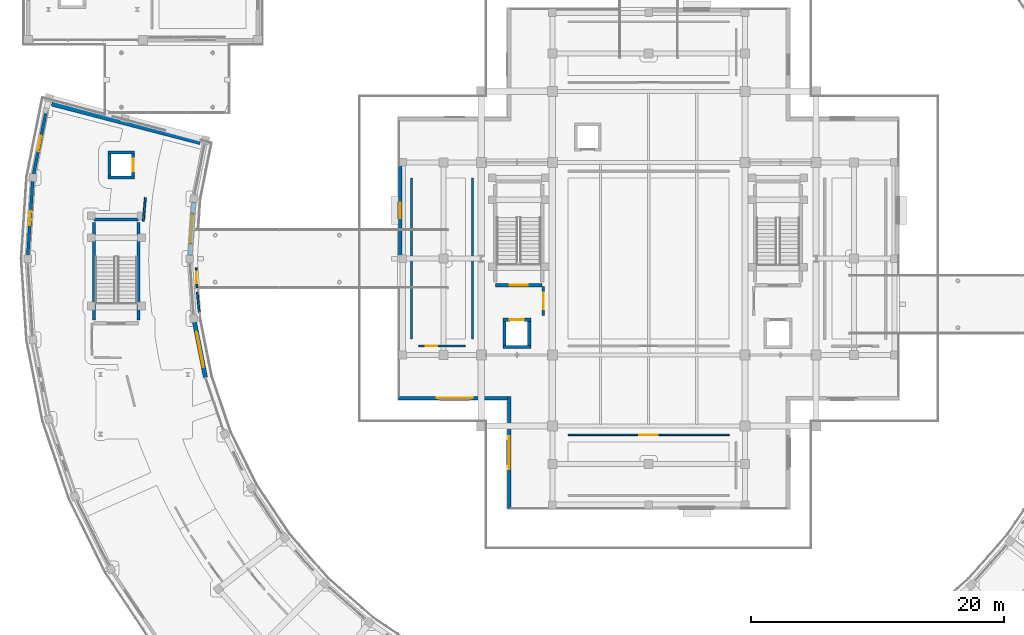
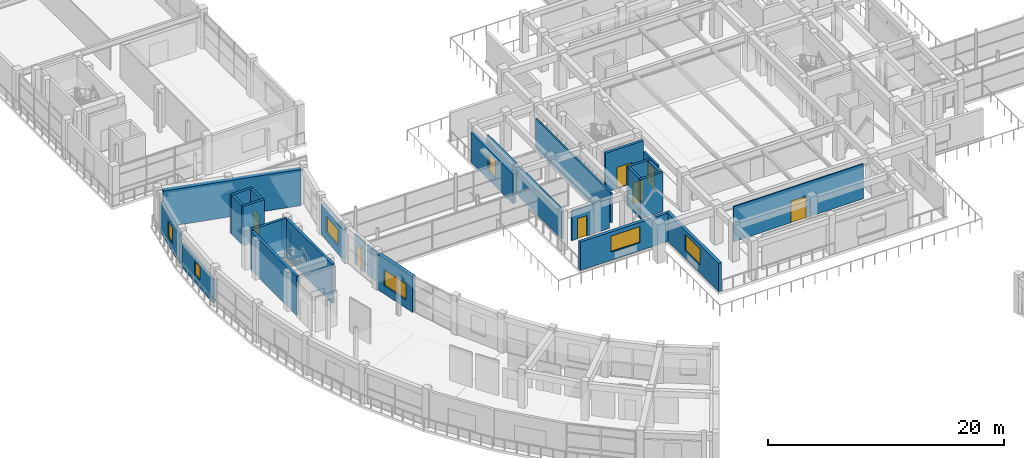
# One storey, part 48 of 72: 28 walls, 7 doors, 7 windows, 14 openings.
"""IFC4 building model written with IfcOpenShell, lengths in metres."""

from ifc_helpers import new_model, si_unit, direction, frame, frame_2d, origin, place, context, subcontext, project, spatial, rectangle, extrude, material, layer, layer_set, type_object, element, fill, save


model = new_model("IFC4")

# Units and contexts
model_context = context("Model", 3, precision=1e-05, world=origin(), true_north=direction((0.0, 1.0)))
body_context = subcontext(model_context, "Body", "Model", "MODEL_VIEW")
ifc_project = project(units=[si_unit("LENGTHUNIT", "METRE"), si_unit("AREAUNIT", "SQUARE_METRE"), si_unit("VOLUMEUNIT", "CUBIC_METRE"), si_unit("PLANEANGLEUNIT", "RADIAN"), si_unit("MASSUNIT", "GRAM", prefix="KILO")], contexts=[model_context])

# Site, building, storey
site_placement = place(None, origin())
site = spatial("IfcSite", under=ifc_project, at=site_placement, CompositionType="ELEMENT")
building_placement = place(site_placement, origin())
building = spatial("IfcBuilding", under=site, at=building_placement, Name="Saryqyr Civic Hall", CompositionType="ELEMENT")
storey_placement = place(building_placement, frame((0.0, 0.0, 17.25)))
storey = spatial("IfcBuildingStorey", under=building, at=storey_placement, Name="L04", CompositionType="ELEMENT", Elevation=17.25)

# Wall, opening, window
ifc_material_1 = material(Name="Precast concrete C40/50", Category="concrete")
ifc_layer_1 = layer(ifc_material_1, 0.239990234375, Name="Precast concrete C40/50")
ifc_layer_set_1 = layer_set([ifc_layer_1], Name="Precast concrete C40/50")
wall_type_1 = type_object("IfcWallType", Name="ENV-WAL-EXT-240", PredefinedType="STANDARD", material=ifc_layer_set_1)
wall_1_placement = place(storey_placement, frame((8.4658203125, 90.630859375, 0.0), z_axis=(0.0, 0.0, 1.0), x_axis=(0.195083817114, 0.980786574286, 0.0)))
wall_1 = element("IfcWall", 1, at=wall_1_placement, inside=storey, type_object=wall_type_1, Name="Exterior wall V4-EWO-L04-00", PredefinedType="STANDARD", context=body_context, shape_type="SweptSolid", body=[
    extrude(rectangle(XDim=5.00341796875, YDim=0.239990234375, at=frame_2d((2.501708984375, 0.0))), origin(), (0.0, 0.0, 1.0), 3.135009765625),
])
opening_1_placement = place(wall_1_placement, frame((1.902099609375, 0.0, 0.85009765625)))
opening_1 = element("IfcOpeningElement", 2, at=opening_1_placement, cuts=wall_1, Name="Opening W-17", PredefinedType="OPENING", context=body_context, shape_type="SweptSolid", body=[
    extrude(rectangle(XDim=1.199951171875, YDim=1.64990234375, at=frame_2d((0.60009765625, 0.824951171875))), frame((0.0, 0.1298828125, 0.0), z_axis=(0.0, -1.0, 0.0), x_axis=(1.0, 0.0, 0.0)), (0.0, 0.0, 1.0), 0.260009765625),
])
ifc_material_2 = material(Name="Anodised aluminium and triple low-E glass", Category="aluminium")
window_type_1 = type_object("IfcWindowType", Name="ENV-WIN-W17", PartitioningType="SINGLE_PANEL", PredefinedType="WINDOW", material=ifc_material_2)
window_1_placement = place(opening_1_placement, origin())
window_1 = element("IfcWindow", 3, at=window_1_placement, inside=storey, type_object=window_type_1, Name="Exterior ribbon window V4-L04-00", OverallHeight=1.64990234375, OverallWidth=1.199951171875, PartitioningType="SINGLE_PANEL", PredefinedType="WINDOW", context=body_context, shape_type="SweptSolid", body=[
    extrude(rectangle(XDim=1.199951171875, YDim=1.64990234375, at=frame_2d((0.60009765625, 0.824951171875))), frame((0.0, 0.030029296875, 0.0), z_axis=(0.0, -1.0, 0.0), x_axis=(1.0, 0.0, 0.0)), (0.0, 0.0, 1.0), 0.06005859375),
])
fill(opening_1, window_1)

wall_2_placement = place(storey_placement, frame((8.015380859375, 84.235107421875, 0.0), z_axis=(0.0, 0.0, 1.0), x_axis=(0.065408412816, 0.99785857692, 0.0)))
wall_2 = element("IfcWall", 4, at=wall_2_placement, inside=storey, type_object=wall_type_1, Name="Exterior wall V4-EWO-L04-01", PredefinedType="STANDARD", context=body_context, shape_type="SweptSolid", body=[
    extrude(rectangle(XDim=5.9384765625, YDim=0.239990234375, at=frame_2d((2.96923828125, 0.0))), origin(), (0.0, 0.0, 1.0), 2.449951171875),
])
opening_2_placement = place(wall_2_placement, frame((2.4189453125, 0.0, 0.85009765625)))
opening_2 = element("IfcOpeningElement", 5, at=opening_2_placement, cuts=wall_2, Name="Opening W-01", PredefinedType="OPENING", context=body_context, shape_type="SweptSolid", body=[
    extrude(rectangle(XDim=1.10009765625, YDim=1.35009765625, at=frame_2d((0.550048828125, 0.675048828125))), frame((0.0, 0.1298828125, 0.0), z_axis=(0.0, -1.0, 0.0), x_axis=(1.0, 0.0, 0.0)), (0.0, 0.0, 1.0), 0.260009765625),
])
window_type_2 = type_object("IfcWindowType", Name="ENV-WIN-W01", PartitioningType="SINGLE_PANEL", PredefinedType="WINDOW", material=ifc_material_2)
window_2_placement = place(opening_2_placement, origin())
window_2 = element("IfcWindow", 6, at=window_2_placement, inside=storey, type_object=window_type_2, Name="Exterior ribbon window V4-L04-01", OverallHeight=1.35009765625, OverallWidth=1.10009765625, PartitioningType="SINGLE_PANEL", PredefinedType="WINDOW", context=body_context, shape_type="SweptSolid", body=[
    extrude(rectangle(XDim=1.10009765625, YDim=1.35009765625, at=frame_2d((0.550048828125, 0.675048828125))), frame((0.0, 0.030029296875, 0.0), z_axis=(0.0, -1.0, 0.0), x_axis=(1.0, 0.0, 0.0)), (0.0, 0.0, 1.0), 0.06005859375),
])
fill(opening_2, window_2)

ifc_layer_2 = layer(ifc_material_1, 0.2900390625, Name="Precast concrete C40/50")
ifc_layer_set_2 = layer_set([ifc_layer_2], Name="Precast concrete C40/50")
wall_type_2 = type_object("IfcWallType", Name="ENV-WAL-EXT-290", PredefinedType="STANDARD", material=ifc_layer_set_2)
wall_3_placement = place(storey_placement, frame((46.0, 64.280029296875, 0.0), z_axis=(0.0, 0.0, 1.0), x_axis=(0.0, 1.0, 0.0)))
wall_3 = element("IfcWall", 7, at=wall_3_placement, inside=storey, type_object=wall_type_2, Name="Exterior wall V1-EW-L04-00", PredefinedType="STANDARD", context=body_context, shape_type="SweptSolid", body=[
    extrude(rectangle(XDim=8.840087890625, YDim=0.2900390625, at=frame_2d((4.419921875, 0.0))), origin(), (0.0, 0.0, 1.0), 2.93505859375),
])
opening_3_placement = place(wall_3_placement, frame((3.1201171875, 0.0, 0.85009765625)))
opening_3 = element("IfcOpeningElement", 8, at=opening_3_placement, cuts=wall_3, Name="Opening W-23", PredefinedType="OPENING", context=body_context, shape_type="SweptSolid", body=[
    extrude(rectangle(XDim=2.60009765625, YDim=1.64990234375, at=frame_2d((1.300048828125, 0.824951171875))), frame((0.0, 0.155029296875, 0.0), z_axis=(0.0, -1.0, 0.0), x_axis=(1.0, 0.0, 0.0)), (0.0, 0.0, 1.0), 0.31005859375),
])
window_type_3 = type_object("IfcWindowType", Name="ENV-WIN-W23", PartitioningType="SINGLE_PANEL", PredefinedType="WINDOW", material=ifc_material_2)
window_3_placement = place(opening_3_placement, origin())
window_3 = element("IfcWindow", 9, at=window_3_placement, inside=storey, type_object=window_type_3, Name="Chamber cluster window L04-00", OverallHeight=1.64990234375, OverallWidth=2.60009765625, PartitioningType="SINGLE_PANEL", PredefinedType="WINDOW", context=body_context, shape_type="SweptSolid", body=[
    extrude(rectangle(XDim=2.60009765625, YDim=1.64990234375, at=frame_2d((1.300048828125, 0.824951171875))), frame((0.0, 0.030029296875, 0.0), z_axis=(0.0, -1.0, 0.0), x_axis=(1.0, 0.0, 0.0)), (0.0, 0.0, 1.0), 0.06005859375),
])
fill(opening_3, window_3)

wall_4_placement = place(storey_placement, frame((46.1201171875, 73.0, 0.0), z_axis=(0.0, 0.0, 1.0), x_axis=(-1.0, 0.0, 0.0)))
wall_4 = element("IfcWall", 10, at=wall_4_placement, inside=storey, type_object=wall_type_2, Name="Exterior wall V1-EW-L04-01", PredefinedType="STANDARD", context=body_context, shape_type="SweptSolid", body=[
    extrude(rectangle(XDim=8.840087890625, YDim=0.2900390625, at=frame_2d((4.419921875, 0.0))), origin(), (0.0, 0.0, 1.0), 2.93505859375),
])
opening_4_placement = place(wall_4_placement, frame((2.9951171875, 0.0, 0.85009765625)))
opening_4 = element("IfcOpeningElement", 11, at=opening_4_placement, cuts=wall_4, Name="Opening W-24", PredefinedType="OPENING", context=body_context, shape_type="SweptSolid", body=[
    extrude(rectangle(XDim=2.85009765625, YDim=1.64990234375, at=frame_2d((1.425048828125, 0.824951171875))), frame((0.0, 0.155029296875, 0.0), z_axis=(0.0, -1.0, 0.0), x_axis=(1.0, 0.0, 0.0)), (0.0, 0.0, 1.0), 0.31005859375),
])
window_type_4 = type_object("IfcWindowType", Name="ENV-WIN-W24", PartitioningType="SINGLE_PANEL", PredefinedType="WINDOW", material=ifc_material_2)
window_4_placement = place(opening_4_placement, origin())
window_4 = element("IfcWindow", 12, at=window_4_placement, inside=storey, type_object=window_type_4, Name="Chamber cluster window L04-01", OverallHeight=1.64990234375, OverallWidth=2.85009765625, PartitioningType="SINGLE_PANEL", PredefinedType="WINDOW", context=body_context, shape_type="SweptSolid", body=[
    extrude(rectangle(XDim=2.85009765625, YDim=1.64990234375, at=frame_2d((1.425048828125, 0.824951171875))), frame((0.0, 0.030029296875, 0.0), z_axis=(0.0, -1.0, 0.0), x_axis=(1.0, 0.0, 0.0)), (0.0, 0.0, 1.0), 0.06005859375),
])
fill(opening_4, window_4)

wall_5_placement = place(storey_placement, frame((37.39990234375, 84.235107421875, 0.0), z_axis=(0.0, 0.0, 1.0), x_axis=(0.0, 1.0, 0.0)))
wall_5 = element("IfcWall", 13, at=wall_5_placement, inside=storey, type_object=wall_type_2, Name="Exterior wall V1-EW-L04-02", PredefinedType="STANDARD", context=body_context, shape_type="SweptSolid", body=[
    extrude(rectangle(XDim=7.1298828125, YDim=0.2900390625, at=frame_2d((3.56494140625, 0.0))), origin(), (0.0, 0.0, 1.0), 3.0849609375),
])
opening_5_placement = place(wall_5_placement, frame((2.93994140625, 0.0, 0.85009765625)))
opening_5 = element("IfcOpeningElement", 14, at=opening_5_placement, cuts=wall_5, Name="Opening W-25", PredefinedType="OPENING", context=body_context, shape_type="SweptSolid", body=[
    extrude(rectangle(XDim=1.25, YDim=1.85009765625, at=frame_2d((0.625, 0.925048828125))), frame((0.0, 0.155029296875, 0.0), z_axis=(0.0, -1.0, 0.0), x_axis=(1.0, 0.0, 0.0)), (0.0, 0.0, 1.0), 0.31005859375),
])
window_type_5 = type_object("IfcWindowType", Name="ENV-WIN-W25", PartitioningType="SINGLE_PANEL", PredefinedType="WINDOW", material=ifc_material_2)
window_5_placement = place(opening_5_placement, origin())
window_5 = element("IfcWindow", 15, at=window_5_placement, inside=storey, type_object=window_type_5, Name="Chamber cluster window L04-02", OverallHeight=1.85009765625, OverallWidth=1.25, PartitioningType="SINGLE_PANEL", PredefinedType="WINDOW", context=body_context, shape_type="SweptSolid", body=[
    extrude(rectangle(XDim=1.25, YDim=1.85009765625, at=frame_2d((0.625, 0.925048828125))), frame((0.0, 0.030029296875, 0.0), z_axis=(0.0, -1.0, 0.0), x_axis=(1.0, 0.0, 0.0)), (0.0, 0.0, 1.0), 0.06005859375),
])
fill(opening_5, window_5)

ifc_layer_3 = layer(ifc_material_1, 0.340087890625, Name="Precast concrete C40/50")
ifc_layer_set_3 = layer_set([ifc_layer_3], Name="Precast concrete C40/50")
wall_type_3 = type_object("IfcWallType", Name="ENV-WAL-EXT-340", PredefinedType="STANDARD", material=ifc_layer_set_3)
wall_6_placement = place(storey_placement, frame((21.09423828125, 88.489990234375, 0.0), z_axis=(0.0, 0.0, 1.0), x_axis=(-0.065386512163, -0.99786001224, 0.0)))
wall_6 = element("IfcWall", 16, at=wall_6_placement, inside=storey, type_object=wall_type_3, Name="Exterior wall V4-EWI-L04-01", PredefinedType="STANDARD", context=body_context, shape_type="SweptSolid", body=[
    extrude(rectangle(XDim=4.263916015625, YDim=0.340087890625, at=frame_2d((2.1318359375, 0.0))), origin(), (0.0, 0.0, 1.0), 3.135009765625),
])
opening_6_placement = place(wall_6_placement, frame((0.95703125, 0.0, 0.85009765625)))
opening_6 = element("IfcOpeningElement", 17, at=opening_6_placement, cuts=wall_6, Name="Opening W-22", PredefinedType="OPENING", context=body_context, shape_type="SweptSolid", body=[
    extrude(rectangle(XDim=2.35009765625, YDim=1.64990234375, at=frame_2d((1.175048828125, 0.824951171875))), frame((0.0, 0.179931640625, 0.0), z_axis=(0.0, -1.0, 0.0), x_axis=(1.0, 0.0, 0.0)), (0.0, 0.0, 1.0), 0.360107421875),
])
window_type_6 = type_object("IfcWindowType", Name="ENV-WIN-W22", PartitioningType="SINGLE_PANEL", PredefinedType="WINDOW", material=ifc_material_2)
window_6_placement = place(opening_6_placement, origin())
window_6 = element("IfcWindow", 18, at=window_6_placement, inside=storey, type_object=window_type_6, Name="Courtyard window V4-L04-01", OverallHeight=1.64990234375, OverallWidth=2.35009765625, PartitioningType="SINGLE_PANEL", PredefinedType="WINDOW", context=body_context, shape_type="SweptSolid", body=[
    extrude(rectangle(XDim=2.35009765625, YDim=1.64990234375, at=frame_2d((1.175048828125, 0.824951171875))), frame((0.0, 0.030029296875, 0.0), z_axis=(0.0, -1.0, 0.0), x_axis=(1.0, 0.0, 0.0)), (0.0, 0.0, 1.0), 0.06005859375),
])
fill(opening_6, window_6)

wall_7_placement = place(storey_placement, frame((21.156494140625, 79.0400390625, 0.0), z_axis=(0.0, 0.0, 1.0), x_axis=(0.195071653653, -0.980788993587, 0.0)))
wall_7 = element("IfcWall", 19, at=wall_7_placement, inside=storey, type_object=wall_type_3, Name="Exterior wall V4-EWI-L04-03", PredefinedType="STANDARD", context=body_context, shape_type="SweptSolid", body=[
    extrude(rectangle(XDim=4.49560546875, YDim=0.340087890625, at=frame_2d((2.247802734375, 0.0))), origin(), (0.0, 0.0, 1.0), 3.699951171875),
])
opening_7_placement = place(wall_7_placement, frame((0.822998046875, 0.0, 0.85009765625)))
opening_7 = element("IfcOpeningElement", 20, at=opening_7_placement, cuts=wall_7, Name="Opening W-24", PredefinedType="OPENING", context=body_context, shape_type="SweptSolid", body=[
    extrude(rectangle(XDim=2.85009765625, YDim=1.64990234375, at=frame_2d((1.425048828125, 0.824951171875))), frame((0.0, 0.179931640625, 0.0), z_axis=(0.0, -1.0, 0.0), x_axis=(1.0, 0.0, 0.0)), (0.0, 0.0, 1.0), 0.360107421875),
])
window_7_placement = place(opening_7_placement, origin())
window_7 = element("IfcWindow", 21, at=window_7_placement, inside=storey, type_object=window_type_4, Name="Courtyard window V4-L04-03", OverallHeight=1.64990234375, OverallWidth=2.85009765625, PartitioningType="SINGLE_PANEL", PredefinedType="WINDOW", context=body_context, shape_type="SweptSolid", body=[
    extrude(rectangle(XDim=2.85009765625, YDim=1.64990234375, at=frame_2d((1.425048828125, 0.824951171875))), frame((0.0, 0.030029296875, 0.0), z_axis=(0.0, -1.0, 0.0), x_axis=(1.0, 0.0, 0.0)), (0.0, 0.0, 1.0), 0.06005859375),
])
fill(opening_7, window_7)

# Wall
ifc_material_3 = material(Name="Concrete C40/50", Category="concrete")
ifc_layer_4 = layer(ifc_material_3, 0.3798828125, Name="Concrete C40/50")
ifc_layer_set_4 = layer_set([ifc_layer_4], Name="Concrete C40/50")
wall_type_4 = type_object("IfcWallType", Name="ENV-WAL-PTY-380", PredefinedType="SHEAR", material=ifc_layer_set_4)
wall_8_placement = place(storey_placement, frame((9.910400390625, 96.22216796875, 0.0), z_axis=(0.0, 0.0, 1.0), x_axis=(0.96792914822, -0.251223334956, 0.0)))
element("IfcWall", 22, at=wall_8_placement, inside=storey, type_object=wall_type_4, Name="Exterior wall V4-JNTW-A-L04", PredefinedType="SHEAR", context=body_context, shape_type="SweptSolid", body=[
    extrude(rectangle(XDim=12.099853515625, YDim=0.3798828125, at=frame_2d((6.0498046875, 0.0))), origin(), (0.0, 0.0, 1.0), 3.75),
])

# Wall, opening, door
ifc_material_4 = material(Name="Autoclaved aerated concrete blockwork", Category="masonry")
ifc_layer_5 = layer(ifc_material_4, 0.199951171875, Name="Autoclaved aerated concrete blockwork")
ifc_layer_set_5 = layer_set([ifc_layer_5], Name="Autoclaved aerated concrete blockwork")
wall_type_5 = type_object("IfcWallType", Name="INT-WAL-FIR-200", PredefinedType="PARTITIONING", material=ifc_layer_set_5)
wall_9_placement = place(storey_placement, frame((48.699951171875, 81.800048828125, 0.0), z_axis=(0.0, 0.0, 1.0), x_axis=(0.0, -1.0, 0.0)))
wall_9 = element("IfcWall", 23, at=wall_9_placement, inside=storey, type_object=wall_type_5, Name="Firefighting lift lobby enclosure wall LF-01 L04", PredefinedType="PARTITIONING", context=body_context, shape_type="SweptSolid", body=[
    extrude(rectangle(XDim=2.300048828125, YDim=0.199951171875, at=frame_2d((1.14990234375, 0.0))), origin(), (0.0, 0.0, 1.0), 2.89990234375),
])
opening_8_placement = place(wall_9_placement, frame((0.5, 0.0, 0.0)))
opening_8 = element("IfcOpeningElement", 24, at=opening_8_placement, cuts=wall_9, Name="Opening FD-01", PredefinedType="OPENING", context=body_context, shape_type="SweptSolid", body=[
    extrude(rectangle(XDim=1.300048828125, YDim=2.199951171875, at=frame_2d((0.64990234375, 1.10009765625))), frame((0.0, 0.10986328125, 0.0), z_axis=(0.0, -1.0, 0.0), x_axis=(1.0, 0.0, 0.0)), (0.0, 0.0, 1.0), 0.219970703125),
])
ifc_material_5 = material(Name="Painted galvanized steel", Category="steel")
door_type_1 = type_object("IfcDoorType", Name="INT-DR-FFLOB-1300x2200", OperationType="NOTDEFINED", PredefinedType="DOOR", material=ifc_material_5)
door_1_placement = place(opening_8_placement, origin())
door_1 = element("IfcDoor", 25, at=door_1_placement, inside=storey, type_object=door_type_1, Name="Firefighting lift lobby smoke-control door LF-01 L04", OperationType="SINGLE_SWING_RIGHT", OverallHeight=2.199951171875, OverallWidth=1.300048828125, PredefinedType="DOOR", context=body_context, shape_type="SweptSolid", body=[
    extrude(rectangle(XDim=1.300048828125, YDim=2.199951171875, at=frame_2d((0.64990234375, 1.10009765625))), frame((0.0, 0.02490234375, 0.0), z_axis=(0.0, -1.0, 0.0), x_axis=(1.0, 0.0, 0.0)), (0.0, 0.0, 1.0), 0.050048828125),
])
fill(opening_8, door_1)

ifc_material_6 = material(Name="Moisture-resistant gypsum partition", Category="gypsum")
ifc_layer_6 = layer(ifc_material_6, 0.110107421875, Name="Moisture-resistant gypsum partition")
ifc_layer_set_6 = layer_set([ifc_layer_6], Name="Moisture-resistant gypsum partition")
wall_type_6 = type_object("IfcWallType", Name="INT-WAL-PRT-110", PredefinedType="PARTITIONING", material=ifc_layer_set_6)
wall_10_placement = place(storey_placement, frame((50.64990234375, 70.10009765625, 0.0), z_axis=(0.0, 0.0, 1.0), x_axis=(1.0, 0.0, 0.0)))
wall_10 = element("IfcWall", 26, at=wall_10_placement, inside=storey, type_object=wall_type_6, Name="Interior partition PRT-SP-V1-L04-R02-W1", PredefinedType="PARTITIONING", context=body_context, shape_type="SweptSolid", body=[
    extrude(rectangle(XDim=12.7001953125, YDim=0.110107421875, at=frame_2d((6.35009765625, 0.0))), origin(), (0.0, 0.0, 1.0), 3.6201171875),
])
opening_9_placement = place(wall_10_placement, frame((5.625, 0.0, 0.0)))
opening_9 = element("IfcOpeningElement", 27, at=opening_9_placement, cuts=wall_10, Name="Opening D-13", PredefinedType="OPENING", context=body_context, shape_type="SweptSolid", body=[
    extrude(rectangle(XDim=1.449951171875, YDim=2.219970703125, at=frame_2d((0.72509765625, 1.10986328125))), frame((0.0, 0.06494140625, 0.0), z_axis=(0.0, -1.0, 0.0), x_axis=(1.0, 0.0, 0.0)), (0.0, 0.0, 1.0), 0.130126953125),
])
ifc_material_7 = material(Name="Acoustic solid-core oak veneer", Category="wood")
door_type_2 = type_object("IfcDoorType", Name="INT-DR-D-13", OperationType="NOTDEFINED", PredefinedType="DOOR", material=ifc_material_7)
door_2_placement = place(opening_9_placement, origin())
door_2 = element("IfcDoor", 28, at=door_2_placement, inside=storey, type_object=door_type_2, Name="Interior door Mayor & Presidium Conferring Room", OperationType="SINGLE_SWING_RIGHT", OverallHeight=2.219970703125, OverallWidth=1.449951171875, PredefinedType="DOOR", context=body_context, shape_type="SweptSolid", body=[
    extrude(rectangle(XDim=1.449951171875, YDim=2.219970703125, at=frame_2d((0.72509765625, 1.10986328125))), frame((0.0, 0.02490234375, 0.0), z_axis=(0.0, -1.0, 0.0), x_axis=(1.0, 0.0, 0.0)), (0.0, 0.0, 1.0), 0.050048828125),
])
fill(opening_9, door_2)

ifc_material_8 = material(Name="Acoustic double-stud gypsum board", Category="gypsum")
ifc_layer_7 = layer(ifc_material_8, 0.155029296875, Name="Acoustic double-stud gypsum board")
ifc_layer_set_7 = layer_set([ifc_layer_7], Name="Acoustic double-stud gypsum board")
wall_type_7 = type_object("IfcWallType", Name="INT-WAL-PRT-155", PredefinedType="PARTITIONING", material=ifc_layer_set_7)
wall_11_placement = place(storey_placement, frame((21.30029296875, 83.30078125, 0.0), z_axis=(0.0, 0.0, 1.0), x_axis=(0.036714963765, -0.999325778431, 0.0)))
wall_11 = element("IfcWall", 29, at=wall_11_placement, inside=storey, type_object=wall_type_7, Name="Interior partition PRT-SP-V4-L04-R04-W1", PredefinedType="PARTITIONING", context=body_context, shape_type="SweptSolid", body=[
    extrude(rectangle(XDim=1.58251953125, YDim=0.155029296875, at=frame_2d((0.791259765625, 0.0))), origin(), (0.0, 0.0, 1.0), 3.135009765625),
])
opening_10_placement = place(wall_11_placement, frame((0.341064453125, 0.0, 0.0)))
opening_10 = element("IfcOpeningElement", 30, at=opening_10_placement, cuts=wall_11, Name="Opening D-01", PredefinedType="OPENING", context=body_context, shape_type="SweptSolid", body=[
    extrude(rectangle(XDim=0.89990234375, YDim=2.10009765625, at=frame_2d((0.449951171875, 1.050048828125))), frame((0.0, 0.08740234375, 0.0), z_axis=(0.0, -1.0, 0.0), x_axis=(1.0, 0.0, 0.0)), (0.0, 0.0, 1.0), 0.175048828125),
])
door_type_3 = type_object("IfcDoorType", Name="INT-DR-D-01", OperationType="NOTDEFINED", PredefinedType="DOOR", material=ifc_material_7)
door_3_placement = place(opening_10_placement, origin())
door_3 = element("IfcDoor", 31, at=door_3_placement, inside=storey, type_object=door_type_3, Name="Interior door Occupational Health & Welfare Clinic", OperationType="SINGLE_SWING_LEFT", OverallHeight=2.10009765625, OverallWidth=0.89990234375, PredefinedType="DOOR", context=body_context, shape_type="SweptSolid", body=[
    extrude(rectangle(XDim=0.89990234375, YDim=2.10009765625, at=frame_2d((0.449951171875, 1.050048828125))), frame((0.0, 0.02490234375, 0.0), z_axis=(0.0, -1.0, 0.0), x_axis=(1.0, 0.0, 0.0)), (0.0, 0.0, 1.0), 0.050048828125),
])
fill(opening_10, door_3)

# Walls
wall_12_placement = place(storey_placement, frame((17.12451171875, 86.968505859375, 0.0), z_axis=(0.0, 0.0, 1.0), x_axis=(0.092807990169, 0.995684024659, 0.0)))
element("IfcWall", 32, at=wall_12_placement, inside=storey, type_object=wall_type_7, Name="Interior partition PRT-SP-V4-L04-R04-W2", PredefinedType="PARTITIONING", context=body_context, shape_type="SweptSolid", body=[
    extrude(rectangle(XDim=1.85986328125, YDim=0.155029296875, at=frame_2d((0.929931640625, 0.0))), origin(), (0.0, 0.0, 1.0), 2.449951171875),
])
wall_13_placement = place(storey_placement, frame((21.383056640625, 81.3603515625, 0.0), z_axis=(0.0, 0.0, 1.0), x_axis=(0.101198981329, -0.994866205164, 0.0)))
element("IfcWall", 33, at=wall_13_placement, inside=storey, type_object=wall_type_7, Name="Interior partition PRT-SP-V4-L04-R04-W3", PredefinedType="PARTITIONING", context=body_context, shape_type="SweptSolid", body=[
    extrude(rectangle(XDim=1.58251953125, YDim=0.155029296875, at=frame_2d((0.791259765625, 0.0))), origin(), (0.0, 0.0, 1.0), 3.135009765625),
])

# Wall, opening, door
ifc_layer_8 = layer(ifc_material_8, 0.169921875, Name="Acoustic double-stud gypsum board")
ifc_layer_set_8 = layer_set([ifc_layer_8], Name="Acoustic double-stud gypsum board")
wall_type_8 = type_object("IfcWallType", Name="INT-WAL-PRT-170", PredefinedType="PARTITIONING", material=ifc_layer_set_8)
wall_14_placement = place(storey_placement, frame((42.550048828125, 77.10009765625, 0.0), z_axis=(0.0, 0.0, 1.0), x_axis=(-1.0, 0.0, 0.0)))
wall_14 = element("IfcWall", 34, at=wall_14_placement, inside=storey, type_object=wall_type_8, Name="Interior partition PRT-SP-V1-L04-R04-W1", PredefinedType="PARTITIONING", context=body_context, shape_type="SweptSolid", body=[
    extrude(rectangle(XDim=3.699951171875, YDim=0.169921875, at=frame_2d((1.85009765625, 0.0))), origin(), (0.0, 0.0, 1.0), 3.0849609375),
])
opening_11_placement = place(wall_14_placement, frame((2.239990234375, 0.0, 0.0)))
opening_11 = element("IfcOpeningElement", 35, at=opening_11_placement, cuts=wall_14, Name="Opening D-01", PredefinedType="OPENING", context=body_context, shape_type="SweptSolid", body=[
    extrude(rectangle(XDim=0.89990234375, YDim=2.10009765625, at=frame_2d((0.449951171875, 1.050048828125))), frame((0.0, 0.094970703125, 0.0), z_axis=(0.0, -1.0, 0.0), x_axis=(1.0, 0.0, 0.0)), (0.0, 0.0, 1.0), 0.18994140625),
])
door_4_placement = place(opening_11_placement, origin())
door_4 = element("IfcDoor", 36, at=door_4_placement, inside=storey, type_object=door_type_3, Name="Interior door Voting Systems & AV Rack Room", OperationType="SINGLE_SWING_LEFT", OverallHeight=2.10009765625, OverallWidth=0.89990234375, PredefinedType="DOOR", context=body_context, shape_type="SweptSolid", body=[
    extrude(rectangle(XDim=0.89990234375, YDim=2.10009765625, at=frame_2d((0.449951171875, 1.050048828125))), frame((0.0, 0.02490234375, 0.0), z_axis=(0.0, -1.0, 0.0), x_axis=(1.0, 0.0, 0.0)), (0.0, 0.0, 1.0), 0.050048828125),
])
fill(opening_11, door_4)

# Walls
for number, where, z_axis, x_axis, name in (
    (37, (43.10009765625, 90.35009765625, 0.0), (0.0, 0.0, 1.0), (0.0, -1.0, 0.0), "Interior partition PRT-SP-V1-L04-R04-W2"),
    (38, (38.300048828125, 77.64990234375, 0.0), (0.0, 0.0, 1.0), (0.0, 1.0, 0.0), "Interior partition PRT-SP-V1-L04-R04-W3"),
):
    element("IfcWall", number, at=place(storey_placement, frame(where, z_axis=z_axis, x_axis=x_axis)), inside=storey, type_object=wall_type_8, Name=name, PredefinedType="PARTITIONING", context=body_context, shape_type="SweptSolid", body=[
        extrude(rectangle(XDim=12.7001953125, YDim=0.169921875, at=frame_2d((6.35009765625, 0.0))), origin(), (0.0, 0.0, 1.0), 3.0849609375),
    ])
ifc_layer_9 = layer(ifc_material_3, 0.239990234375, Name="Concrete C40/50")
ifc_layer_set_9 = layer_set([ifc_layer_9], Name="Concrete C40/50")
wall_type_9 = type_object("IfcWallType", Name="INT-WAL-SHR-240", PredefinedType="SHEAR", material=ifc_layer_set_9)
wall_15_placement = place(storey_placement, frame((47.699951171875, 77.02001953125, 0.0), z_axis=(0.0, 0.0, 1.0), x_axis=(-1.0, 0.0, 0.0)))
element("IfcWall", 39, at=wall_15_placement, inside=storey, type_object=wall_type_9, Name="Lift shaft shear wall LF-01-SHW-S-L04", PredefinedType="SHEAR", context=body_context, shape_type="SweptSolid", body=[
    extrude(rectangle(XDim=2.199951171875, YDim=0.239990234375, at=frame_2d((1.10009765625, 0.0))), origin(), (0.0, 0.0, 1.0), 4.050048828125),
])
wall_16_placement = place(storey_placement, frame((47.580078125, 79.06005859375, 0.0), z_axis=(0.0, 0.0, 1.0), x_axis=(0.0, -1.0, 0.0)))
element("IfcWall", 40, at=wall_16_placement, inside=storey, type_object=wall_type_9, Name="Lift shaft shear wall LF-01-SHW-E-L04", PredefinedType="SHEAR", context=body_context, shape_type="SweptSolid", body=[
    extrude(rectangle(XDim=1.920166015625, YDim=0.239990234375, at=frame_2d((0.9599609375, 0.0))), origin(), (0.0, 0.0, 1.0), 4.050048828125),
])

# Wall, opening, door
wall_17_placement = place(storey_placement, frame((45.5, 79.179931640625, 0.0), z_axis=(0.0, 0.0, 1.0), x_axis=(1.0, 0.0, 0.0)))
wall_17 = element("IfcWall", 41, at=wall_17_placement, inside=storey, type_object=wall_type_9, Name="Lift shaft shear wall LF-01-SHW-N-L04", PredefinedType="SHEAR", context=body_context, shape_type="SweptSolid", body=[
    extrude(rectangle(XDim=2.199951171875, YDim=0.239990234375, at=frame_2d((1.10009765625, 0.0))), origin(), (0.0, 0.0, 1.0), 4.050048828125),
])
opening_12_placement = place(wall_17_placement, frame((0.550048828125, 0.0, 0.0)))
opening_12 = element("IfcOpeningElement", 42, at=opening_12_placement, cuts=wall_17, Name="Opening LD-01", PredefinedType="OPENING", context=body_context, shape_type="SweptSolid", body=[
    extrude(rectangle(XDim=1.10009765625, YDim=2.14990234375, at=frame_2d((0.550048828125, 1.074951171875))), frame((0.0, 0.1298828125, 0.0), z_axis=(0.0, -1.0, 0.0), x_axis=(1.0, 0.0, 0.0)), (0.0, 0.0, 1.0), 0.260009765625),
])
ifc_material_9 = material(Name="Brushed stainless steel", Category="steel")
door_type_4 = type_object("IfcDoorType", Name="INT-DR-LD-1100x2150", OperationType="NOTDEFINED", PredefinedType="DOOR", material=ifc_material_9)
door_5_placement = place(opening_12_placement, origin())
door_5 = element("IfcDoor", 43, at=door_5_placement, inside=storey, type_object=door_type_4, Name="Lift sliding landing door LF-01 L04", OperationType="SLIDING_TO_LEFT", OverallHeight=2.14990234375, OverallWidth=1.10009765625, PredefinedType="DOOR", context=body_context, shape_type="SweptSolid", body=[
    extrude(rectangle(XDim=1.10009765625, YDim=2.14990234375, at=frame_2d((0.550048828125, 1.074951171875))), frame((0.0, 0.02490234375, 0.0), z_axis=(0.0, -1.0, 0.0), x_axis=(1.0, 0.0, 0.0)), (0.0, 0.0, 1.0), 0.050048828125),
])
fill(opening_12, door_5)

# Walls
wall_18_placement = place(storey_placement, frame((45.6201171875, 77.139892578125, 0.0), z_axis=(0.0, 0.0, 1.0), x_axis=(0.0, 1.0, 0.0)))
element("IfcWall", 44, at=wall_18_placement, inside=storey, type_object=wall_type_9, Name="Lift shaft shear wall LF-01-SHW-W-L04", PredefinedType="SHEAR", context=body_context, shape_type="SweptSolid", body=[
    extrude(rectangle(XDim=1.920166015625, YDim=0.239990234375, at=frame_2d((0.9599609375, 0.0))), origin(), (0.0, 0.0, 1.0), 4.050048828125),
])
wall_19_placement = place(storey_placement, frame((16.449951171875, 90.419921875, 0.0), z_axis=(0.0, 0.0, 1.0), x_axis=(-1.0, 0.0, 0.0)))
element("IfcWall", 45, at=wall_19_placement, inside=storey, type_object=wall_type_9, Name="Lift shaft shear wall LF-06-SHW-S-L04", PredefinedType="SHEAR", context=body_context, shape_type="SweptSolid", body=[
    extrude(rectangle(XDim=2.099853515625, YDim=0.239990234375, at=frame_2d((1.0498046875, 0.0))), origin(), (0.0, 0.0, 1.0), 4.050048828125),
])

# Wall, opening, door
wall_20_placement = place(storey_placement, frame((16.330078125, 92.260009765625, 0.0), z_axis=(0.0, 0.0, 1.0), x_axis=(0.0, -1.0, 0.0)))
wall_20 = element("IfcWall", 46, at=wall_20_placement, inside=storey, type_object=wall_type_9, Name="Lift shaft shear wall LF-06-SHW-E-L04", PredefinedType="SHEAR", context=body_context, shape_type="SweptSolid", body=[
    extrude(rectangle(XDim=1.719970703125, YDim=0.239990234375, at=frame_2d((0.85986328125, 0.0))), origin(), (0.0, 0.0, 1.0), 4.050048828125),
])
opening_13_placement = place(wall_20_placement, frame((0.360107421875, 0.0, 0.0)))
opening_13 = element("IfcOpeningElement", 47, at=opening_13_placement, cuts=wall_20, Name="Opening LD-02", PredefinedType="OPENING", context=body_context, shape_type="SweptSolid", body=[
    extrude(rectangle(XDim=1.0, YDim=2.14990234375, at=frame_2d((0.5, 1.074951171875))), frame((0.0, 0.1298828125, 0.0), z_axis=(0.0, -1.0, 0.0), x_axis=(1.0, 0.0, 0.0)), (0.0, 0.0, 1.0), 0.260009765625),
])
door_type_5 = type_object("IfcDoorType", Name="INT-DR-LD-1000x2150", OperationType="NOTDEFINED", PredefinedType="DOOR", material=ifc_material_9)
door_6_placement = place(opening_13_placement, origin())
door_6 = element("IfcDoor", 48, at=door_6_placement, inside=storey, type_object=door_type_5, Name="Lift sliding landing door LF-06 L04", OperationType="SLIDING_TO_RIGHT", OverallHeight=2.14990234375, OverallWidth=1.0, PredefinedType="DOOR", context=body_context, shape_type="SweptSolid", body=[
    extrude(rectangle(XDim=1.0, YDim=2.14990234375, at=frame_2d((0.5, 1.074951171875))), frame((0.0, 0.02490234375, 0.0), z_axis=(0.0, -1.0, 0.0), x_axis=(1.0, 0.0, 0.0)), (0.0, 0.0, 1.0), 0.050048828125),
])
fill(opening_13, door_6)

# Walls
wall_21_placement = place(storey_placement, frame((14.35009765625, 92.3798828125, 0.0), z_axis=(0.0, 0.0, 1.0), x_axis=(1.0, 0.0, 0.0)))
element("IfcWall", 49, at=wall_21_placement, inside=storey, type_object=wall_type_9, Name="Lift shaft shear wall LF-06-SHW-N-L04", PredefinedType="SHEAR", context=body_context, shape_type="SweptSolid", body=[
    extrude(rectangle(XDim=2.099853515625, YDim=0.239990234375, at=frame_2d((1.0498046875, 0.0))), origin(), (0.0, 0.0, 1.0), 4.050048828125),
])
wall_22_placement = place(storey_placement, frame((14.469970703125, 90.5400390625, 0.0), z_axis=(0.0, 0.0, 1.0), x_axis=(0.0, 1.0, 0.0)))
element("IfcWall", 50, at=wall_22_placement, inside=storey, type_object=wall_type_9, Name="Lift shaft shear wall LF-06-SHW-W-L04", PredefinedType="SHEAR", context=body_context, shape_type="SweptSolid", body=[
    extrude(rectangle(XDim=1.719970703125, YDim=0.239990234375, at=frame_2d((0.85986328125, 0.0))), origin(), (0.0, 0.0, 1.0), 4.050048828125),
])

# Wall, opening, door
ifc_layer_10 = layer(ifc_material_3, 0.25, Name="Concrete C40/50")
ifc_layer_set_10 = layer_set([ifc_layer_10], Name="Concrete C40/50")
wall_type_10 = type_object("IfcWallType", Name="INT-WAL-SHR-250", PredefinedType="SHEAR", material=ifc_layer_set_10)
wall_23_placement = place(storey_placement, frame((48.60009765625, 81.89990234375, 0.0), z_axis=(0.0, 0.0, 1.0), x_axis=(-1.0, 0.0, 0.0)))
wall_23 = element("IfcWall", 51, at=wall_23_placement, inside=storey, type_object=wall_type_10, Name="Protected stair shaft wall ST-1-SW1-L04", PredefinedType="SHEAR", context=body_context, shape_type="SweptSolid", body=[
    extrude(rectangle(XDim=3.7001953125, YDim=0.25, at=frame_2d((1.85009765625, 0.0))), origin(), (0.0, 0.0, 1.0), 4.050048828125),
])
opening_14_placement = place(wall_23_placement, frame((1.125, 0.0, 0.0)))
opening_14 = element("IfcOpeningElement", 52, at=opening_14_placement, cuts=wall_23, Name="Opening SD-02", PredefinedType="OPENING", context=body_context, shape_type="SweptSolid", body=[
    extrude(rectangle(XDim=1.449951171875, YDim=2.199951171875, at=frame_2d((0.72509765625, 1.10009765625))), frame((0.0, 0.135009765625, 0.0), z_axis=(0.0, -1.0, 0.0), x_axis=(1.0, 0.0, 0.0)), (0.0, 0.0, 1.0), 0.27001953125),
])
door_type_6 = type_object("IfcDoorType", Name="INT-DR-STAIR-1450x2200", OperationType="NOTDEFINED", PredefinedType="DOOR", material=ifc_material_5)
door_7_placement = place(opening_14_placement, origin())
door_7 = element("IfcDoor", 53, at=door_7_placement, inside=storey, type_object=door_type_6, Name="Exit stair landing fire door ST-1-L04", OperationType="SINGLE_SWING_RIGHT", OverallHeight=2.199951171875, OverallWidth=1.449951171875, PredefinedType="DOOR", context=body_context, shape_type="SweptSolid", body=[
    extrude(rectangle(XDim=1.449951171875, YDim=2.199951171875, at=frame_2d((0.72509765625, 1.10009765625))), frame((0.0, 0.02490234375, 0.0), z_axis=(0.0, -1.0, 0.0), x_axis=(1.0, 0.0, 0.0)), (0.0, 0.0, 1.0), 0.050048828125),
])
fill(opening_14, door_7)

# Walls
wall_24_placement = place(storey_placement, frame((13.25, 79.14990234375, 0.0), z_axis=(0.0, 0.0, 1.0), x_axis=(0.0, 1.0, 0.0)))
element("IfcWall", 54, at=wall_24_placement, inside=storey, type_object=wall_type_10, Name="Protected stair shaft wall ST-4-SW2-L04", PredefinedType="SHEAR", context=body_context, shape_type="SweptSolid", body=[
    extrude(rectangle(XDim=7.7001953125, YDim=0.25, at=frame_2d((3.85009765625, 0.0))), origin(), (0.0, 0.0, 1.0), 4.050048828125),
])
wall_25_placement = place(storey_placement, frame((13.25, 87.10009765625, 0.0), z_axis=(0.0, 0.0, 1.0), x_axis=(1.0, 0.0, 0.0)))
element("IfcWall", 55, at=wall_25_placement, inside=storey, type_object=wall_type_10, Name="Protected stair shaft wall ST-4-SW3-L04", PredefinedType="SHEAR", context=body_context, shape_type="SweptSolid", body=[
    extrude(rectangle(XDim=3.5, YDim=0.25, at=frame_2d((1.75, 0.0))), origin(), (0.0, 0.0, 1.0), 4.050048828125),
])
wall_26_placement = place(storey_placement, frame((16.75, 86.85009765625, 0.0), z_axis=(0.0, 0.0, 1.0), x_axis=(0.0, -1.0, 0.0)))
element("IfcWall", 56, at=wall_26_placement, inside=storey, type_object=wall_type_10, Name="Protected stair shaft wall ST-4-SW4-L04", PredefinedType="SHEAR", context=body_context, shape_type="SweptSolid", body=[
    extrude(rectangle(XDim=7.7001953125, YDim=0.25, at=frame_2d((3.85009765625, 0.0))), origin(), (0.0, 0.0, 1.0), 4.050048828125),
])

save(model, "model.ifc")
